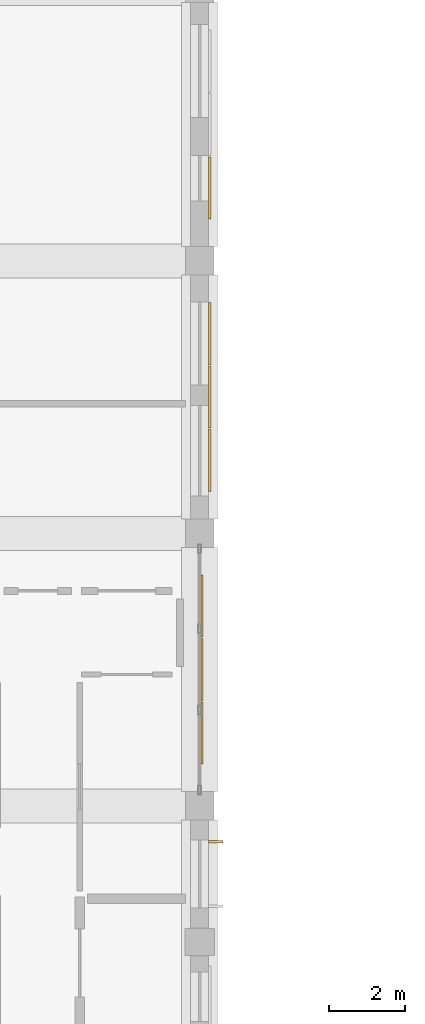
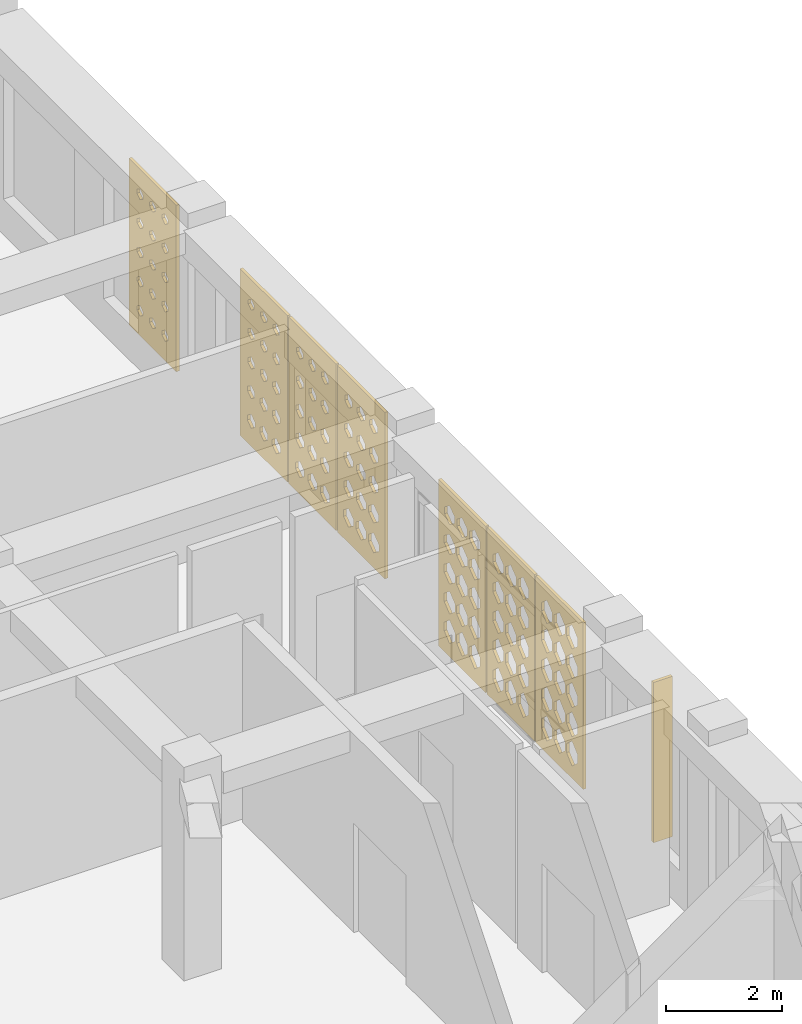
# One storey, part 101 of 111: 7 coverings, 1 shading device.
"""IFC4 building model written with IfcOpenShell, lengths in metres."""

from ifc_helpers import new_model, si_unit, derived_unit, direction, frame, origin, origin_2d, place, context, subcontext, project, spatial, polyline, rectangle, outline, extrude, material, layer, layer_set, type_object, element, save


model = new_model("IFC4")

# Units and contexts
model_context = context("Model", 3, precision=1e-05, world=origin(), true_north=direction((0.0, 1.0)))
body_context = subcontext(model_context, "Body", "Model", "MODEL_VIEW")
ifc_project = project(units=[si_unit("LENGTHUNIT", "METRE"), si_unit("AREAUNIT", "SQUARE_METRE"), si_unit("VOLUMEUNIT", "CUBIC_METRE"), si_unit("PLANEANGLEUNIT", "RADIAN"), si_unit("MASSUNIT", "GRAM", prefix="KILO"), derived_unit("THERMALTRANSMITTANCEUNIT", [(si_unit("POWERUNIT", "WATT"), 1), (si_unit("LENGTHUNIT", "METRE"), -2), (si_unit("THERMODYNAMICTEMPERATUREUNIT", "KELVIN"), -1)])], contexts=[model_context])

# Site, building, storey
site_placement = place(None, origin())
site = spatial("IfcSite", under=ifc_project, at=site_placement, CompositionType="ELEMENT")
building_placement = place(site_placement, origin())
building = spatial("IfcBuilding", under=site, at=building_placement, Name="Veybourne Emporium", CompositionType="ELEMENT")
storey_placement = place(building_placement, frame((0.0, 0.0, 9.89990234375)))
storey = spatial("IfcBuildingStorey", under=building, at=storey_placement, Name="L02", CompositionType="ELEMENT", Elevation=9.89990234375)

# Shading device
ifc_material_1 = material(Name="Patinated Architectural Bronze", Category="bronze")
shading_device_type = type_object("IfcShadingDeviceType", Name="SolarFin_FIN-01", PredefinedType="USERDEFINED", material=ifc_material_1)
shading_device_placement = place(storey_placement, frame((101.22900390625, 63.85400390625, 0.125244140625), z_axis=(0.0, 0.0, 1.0), x_axis=(0.0, -1.0, 0.0)))
element("IfcShadingDevice", 1, at=shading_device_placement, inside=storey, type_object=shading_device_type, Name="L02 bronze brise-soleil fin FIN-01 (53A.1)", ObjectType="FIN", PredefinedType="USERDEFINED", context=body_context, shape_type="SweptSolid", body=[
    extrude(rectangle(XDim=0.06494140625, YDim=0.3798828125, at=origin_2d()), origin(), (0.0, 0.0, 1.0), 3.3798828125),
])

# Coverings
ifc_material_2 = material(Name="Warm-White Perforated Aluminium Screen Alloy", Category="aluminium")
ifc_layer_1 = layer(ifc_material_2, 0.06005859375)
ifc_layer_set_1 = layer_set([ifc_layer_1], Name="Warm-White Perforated Aluminium Screen Alloy")
covering_type_1 = type_object("IfcCoveringType", Name="WaveScreen_SCR-01", PredefinedType="CLADDING", material=ifc_layer_set_1)
covering_1_placement = place(storey_placement, frame((101.09814453125, 73.919921875, 1.815185546875), z_axis=(-1.0, 0.0, 0.0), x_axis=(0.0, -1.0, 0.0)))
element("IfcCovering", 2, at=covering_1_placement, inside=storey, type_object=covering_type_1, Name="L02 wave-perforated aluminium screen SCR-01 (55.3)", PredefinedType="CLADDING", context=body_context, shape_type="SweptSolid", body=[
    extrude(outline(polyline([(-0.81982421875, -1.7548828125), (0.81982421875, -1.7548828125), (0.81982421875, 1.7548828125), (-0.81982421875, 1.7548828125), (-0.81982421875, -1.7548828125)]), holes=[polyline([(-0.433349609375, -1.03173828125), (-0.2626953125, -1.157470703125), (-0.2626953125, -1.298583984375), (-0.433349609375, -1.42431640625), (-0.60400390625, -1.298583984375), (-0.60400390625, -1.157470703125), (-0.433349609375, -1.03173828125)]), polyline([(-0.433349609375, -0.431884765625), (-0.2744140625, -0.548583984375), (-0.2744140625, -0.679443359375), (-0.433349609375, -0.796142578125), (-0.59228515625, -0.679443359375), (-0.59228515625, -0.548583984375), (-0.433349609375, -0.431884765625)]), polyline([(-0.433349609375, 0.168212890625), (-0.28564453125, 0.060546875), (-0.28564453125, -0.060546875), (-0.433349609375, -0.168212890625), (-0.5810546875, -0.060546875), (-0.5810546875, 0.060546875), (-0.433349609375, 0.168212890625)]), polyline([(-0.433349609375, 0.76904296875), (-0.29638671875, 0.669921875), (-0.29638671875, 0.55810546875), (-0.433349609375, 0.458984375), (-0.5703125, 0.55810546875), (-0.5703125, 0.669921875), (-0.433349609375, 0.76904296875)]), polyline([(-0.433349609375, 1.37109375), (-0.306396484375, 1.279541015625), (-0.306396484375, 1.176513671875), (-0.433349609375, 1.0849609375), (-0.560302734375, 1.176513671875), (-0.560302734375, 1.279541015625), (-0.433349609375, 1.37109375)]), polyline([(0.0, -1.025390625), (0.17578125, -1.155029296875), (0.17578125, -1.301025390625), (0.0, -1.4306640625), (-0.17578125, -1.301025390625), (-0.17578125, -1.155029296875), (0.0, -1.025390625)]), polyline([(0.0, -0.425537109375), (0.164306640625, -0.546142578125), (0.164306640625, -0.681884765625), (0.0, -0.802490234375), (-0.164306640625, -0.681884765625), (-0.164306640625, -0.546142578125), (0.0, -0.425537109375)]), polyline([(0.0, 0.174560546875), (0.152587890625, 0.062744140625), (0.152587890625, -0.062744140625), (0.0, -0.174560546875), (-0.152587890625, -0.062744140625), (-0.152587890625, 0.062744140625), (0.0, 0.174560546875)]), polyline([(0.0, 0.77490234375), (0.1416015625, 0.671875), (0.1416015625, 0.55615234375), (0.0, 0.453125), (-0.1416015625, 0.55615234375), (-0.1416015625, 0.671875), (0.0, 0.77490234375)]), polyline([(0.0, 1.37646484375), (0.13134765625, 1.281494140625), (0.13134765625, 1.174560546875), (0.0, 1.07958984375), (-0.13134765625, 1.174560546875), (-0.13134765625, 1.281494140625), (0.0, 1.37646484375)]), polyline([(0.433349609375, -1.01904296875), (0.6142578125, -1.15283203125), (0.6142578125, -1.30322265625), (0.433349609375, -1.43701171875), (0.252197265625, -1.30322265625), (0.252197265625, -1.15283203125), (0.433349609375, -1.01904296875)]), polyline([(0.433349609375, -0.419189453125), (0.602783203125, -0.543701171875), (0.602783203125, -0.68408203125), (0.433349609375, -0.808837890625), (0.263916015625, -0.68408203125), (0.263916015625, -0.543701171875), (0.433349609375, -0.419189453125)]), polyline([(0.433349609375, 0.180908203125), (0.59130859375, 0.065185546875), (0.59130859375, -0.065185546875), (0.433349609375, -0.180908203125), (0.275390625, -0.065185546875), (0.275390625, 0.065185546875), (0.433349609375, 0.180908203125)]), polyline([(0.433349609375, 0.781005859375), (0.580078125, 0.674072265625), (0.580078125, 0.553955078125), (0.433349609375, 0.447021484375), (0.28662109375, 0.553955078125), (0.28662109375, 0.674072265625), (0.433349609375, 0.781005859375)]), polyline([(0.433349609375, 1.3818359375), (0.5693359375, 1.283447265625), (0.5693359375, 1.172607421875), (0.433349609375, 1.07421875), (0.29736328125, 1.172607421875), (0.29736328125, 1.283447265625), (0.433349609375, 1.3818359375)])]), origin(), (0.0, 0.0, 1.0), 0.06005859375),
])
ifc_layer_2 = layer(ifc_material_2, 0.06005859375)
ifc_layer_set_2 = layer_set([ifc_layer_2], Name="Warm-White Perforated Aluminium Screen Alloy")
covering_type_2 = type_object("IfcCoveringType", Name="WaveScreen_SCR-02", PredefinedType="CLADDING", material=ifc_layer_set_2)
covering_2_placement = place(storey_placement, frame((100.8955078125, 70.080078125, 1.815185546875), z_axis=(-1.0, 0.0, 0.0), x_axis=(0.0, -1.0, 0.0)))
element("IfcCovering", 3, at=covering_2_placement, inside=storey, type_object=covering_type_2, Name="L02 wave-perforated aluminium screen SCR-02 (54C.1)", PredefinedType="CLADDING", context=body_context, shape_type="SweptSolid", body=[
    extrude(outline(polyline([(-0.81982421875, -1.7548828125), (0.81982421875, -1.7548828125), (0.81982421875, 1.7548828125), (-0.81982421875, 1.7548828125), (-0.81982421875, -1.7548828125)]), holes=[polyline([(-0.433349609375, -0.977783203125), (-0.2470703125, -1.137939453125), (-0.2470703125, -1.318115234375), (-0.433349609375, -1.47802734375), (-0.61962890625, -1.318115234375), (-0.61962890625, -1.137939453125), (-0.433349609375, -0.977783203125)]), polyline([(-0.433349609375, -0.374755859375), (-0.2470703125, -0.52783203125), (-0.2470703125, -0.7001953125), (-0.433349609375, -0.853271484375), (-0.61962890625, -0.7001953125), (-0.61962890625, -0.52783203125), (-0.433349609375, -0.374755859375)]), polyline([(-0.433349609375, 0.226806640625), (-0.2470703125, 0.081787109375), (-0.2470703125, -0.081787109375), (-0.433349609375, -0.226806640625), (-0.61962890625, -0.081787109375), (-0.61962890625, 0.081787109375), (-0.433349609375, 0.226806640625)]), polyline([(-0.433349609375, 0.827392578125), (-0.248779296875, 0.69091796875), (-0.248779296875, 0.537109375), (-0.433349609375, 0.400390625), (-0.617919921875, 0.537109375), (-0.617919921875, 0.69091796875), (-0.433349609375, 0.827392578125)]), polyline([(-0.433349609375, 1.427490234375), (-0.260009765625, 1.2998046875), (-0.260009765625, 1.15625), (-0.433349609375, 1.028564453125), (-0.606689453125, 1.15625), (-0.606689453125, 1.2998046875), (-0.433349609375, 1.427490234375)]), polyline([(0.0, -0.973388671875), (0.186279296875, -1.136474609375), (0.186279296875, -1.319580078125), (0.0, -1.482421875), (-0.186279296875, -1.319580078125), (-0.186279296875, -1.136474609375), (0.0, -0.973388671875)]), polyline([(0.0, -0.36962890625), (0.186279296875, -0.52587890625), (0.186279296875, -0.701904296875), (0.0, -0.8583984375), (-0.186279296875, -0.701904296875), (-0.186279296875, -0.52587890625), (0.0, -0.36962890625)]), polyline([(0.0, 0.232666015625), (0.186279296875, 0.083740234375), (0.186279296875, -0.083740234375), (0.0, -0.232666015625), (-0.186279296875, -0.083740234375), (-0.186279296875, 0.083740234375), (0.0, 0.232666015625)]), polyline([(0.0, 0.83349609375), (0.186279296875, 0.693115234375), (0.186279296875, 0.534912109375), (0.0, 0.394287109375), (-0.186279296875, 0.534912109375), (-0.186279296875, 0.693115234375), (0.0, 0.83349609375)]), polyline([(0.0, 1.433837890625), (0.178466796875, 1.302001953125), (0.178466796875, 1.15380859375), (0.0, 1.022216796875), (-0.178466796875, 1.15380859375), (-0.178466796875, 1.302001953125), (0.0, 1.433837890625)]), polyline([(0.433349609375, -0.969482421875), (0.61962890625, -1.135009765625), (0.61962890625, -1.321044921875), (0.433349609375, -1.486572265625), (0.2470703125, -1.321044921875), (0.2470703125, -1.135009765625), (0.433349609375, -0.969482421875)]), polyline([(0.433349609375, -0.36474609375), (0.61962890625, -0.5244140625), (0.61962890625, -0.70361328125), (0.433349609375, -0.86328125), (0.2470703125, -0.70361328125), (0.2470703125, -0.5244140625), (0.433349609375, -0.36474609375)]), polyline([(0.433349609375, 0.238037109375), (0.61962890625, 0.085693359375), (0.61962890625, -0.085693359375), (0.433349609375, -0.238037109375), (0.2470703125, -0.085693359375), (0.2470703125, 0.085693359375), (0.433349609375, 0.238037109375)]), polyline([(0.433349609375, 0.839599609375), (0.61962890625, 0.6953125), (0.61962890625, 0.53271484375), (0.433349609375, 0.388427734375), (0.2470703125, 0.53271484375), (0.2470703125, 0.6953125), (0.433349609375, 0.839599609375)]), polyline([(0.433349609375, 1.440185546875), (0.616943359375, 1.304443359375), (0.616943359375, 1.151611328125), (0.433349609375, 1.015869140625), (0.249755859375, 1.151611328125), (0.249755859375, 1.304443359375), (0.433349609375, 1.440185546875)])]), origin(), (0.0, 0.0, 1.0), 0.06005859375),
])
covering_3_placement = place(storey_placement, frame((101.09814453125, 81.1201171875, 1.815185546875), z_axis=(-1.0, 0.0, 0.0), x_axis=(0.0, -1.0, 0.0)))
element("IfcCovering", 4, at=covering_3_placement, inside=storey, type_object=covering_type_2, Name="L02 wave-perforated aluminium screen SCR-02 (56.3)", PredefinedType="CLADDING", context=body_context, shape_type="SweptSolid", body=[
    extrude(outline(polyline([(-0.81982421875, -1.7548828125), (0.81982421875, -1.7548828125), (0.81982421875, 1.7548828125), (-0.81982421875, 1.7548828125), (-0.81982421875, -1.7548828125)]), holes=[polyline([(-0.433349609375, -1.11376953125), (-0.329833984375, -1.18701171875), (-0.329833984375, -1.26904296875), (-0.433349609375, -1.34228515625), (-0.536865234375, -1.26904296875), (-0.536865234375, -1.18701171875), (-0.433349609375, -1.11376953125)]), polyline([(-0.433349609375, -0.503173828125), (-0.33251953125, -0.57421875), (-0.33251953125, -0.65380859375), (-0.433349609375, -0.724853515625), (-0.5341796875, -0.65380859375), (-0.5341796875, -0.57421875), (-0.433349609375, -0.503173828125)]), polyline([(-0.433349609375, 0.110107421875), (-0.333251953125, 0.03955078125), (-0.333251953125, -0.03955078125), (-0.433349609375, -0.110107421875), (-0.533447265625, -0.03955078125), (-0.533447265625, 0.03955078125), (-0.433349609375, 0.110107421875)]), polyline([(-0.433349609375, 0.7255859375), (-0.33203125, 0.654296875), (-0.33203125, 0.57373046875), (-0.433349609375, 0.50244140625), (-0.53466796875, 0.57373046875), (-0.53466796875, 0.654296875), (-0.433349609375, 0.7255859375)]), polyline([(-0.433349609375, 1.343505859375), (-0.328857421875, 1.26953125), (-0.328857421875, 1.186279296875), (-0.433349609375, 1.112548828125), (-0.537841796875, 1.186279296875), (-0.537841796875, 1.26953125), (-0.433349609375, 1.343505859375)]), polyline([(0.0, -1.111572265625), (0.105224609375, -1.18603515625), (0.105224609375, -1.27001953125), (0.0, -1.344482421875), (-0.105224609375, -1.27001953125), (-0.105224609375, -1.18603515625), (0.0, -1.111572265625)]), polyline([(0.0, -0.501953125), (0.101806640625, -0.573486328125), (0.101806640625, -0.654296875), (0.0, -0.72607421875), (-0.101806640625, -0.654296875), (-0.101806640625, -0.573486328125), (0.0, -0.501953125)]), polyline([(0.0, 0.110107421875), (0.10009765625, 0.03955078125), (0.10009765625, -0.03955078125), (0.0, -0.110107421875), (-0.10009765625, -0.03955078125), (-0.10009765625, 0.03955078125), (0.0, 0.110107421875)]), polyline([(0.0, 0.724609375), (0.1005859375, 0.65380859375), (0.1005859375, 0.57421875), (0.0, 0.50341796875), (-0.1005859375, 0.57421875), (-0.1005859375, 0.65380859375), (0.0, 0.724609375)]), polyline([(0.0, 1.34130859375), (0.102783203125, 1.268798828125), (0.102783203125, 1.187255859375), (0.0, 1.114501953125), (-0.102783203125, 1.187255859375), (-0.102783203125, 1.268798828125), (0.0, 1.34130859375)]), polyline([(0.433349609375, -1.10888671875), (0.540771484375, -1.18505859375), (0.540771484375, -1.27099609375), (0.433349609375, -1.34716796875), (0.32568359375, -1.27099609375), (0.32568359375, -1.18505859375), (0.433349609375, -1.10888671875)]), polyline([(0.433349609375, -0.500244140625), (0.536376953125, -0.572998046875), (0.536376953125, -0.655029296875), (0.433349609375, -0.727783203125), (0.330078125, -0.655029296875), (0.330078125, -0.572998046875), (0.433349609375, -0.500244140625)]), polyline([(0.433349609375, 0.110595703125), (0.533935546875, 0.039794921875), (0.533935546875, -0.039794921875), (0.433349609375, -0.110595703125), (0.332763671875, -0.039794921875), (0.332763671875, 0.039794921875), (0.433349609375, 0.110595703125)]), polyline([(0.433349609375, 0.72412109375), (0.533447265625, 0.653564453125), (0.533447265625, 0.574462890625), (0.433349609375, 0.50390625), (0.333251953125, 0.574462890625), (0.333251953125, 0.653564453125), (0.433349609375, 0.72412109375)]), polyline([(0.433349609375, 1.33984375), (0.534912109375, 1.268310546875), (0.534912109375, 1.187744140625), (0.433349609375, 1.1162109375), (0.331787109375, 1.187744140625), (0.331787109375, 1.268310546875), (0.433349609375, 1.33984375)])]), origin(), (0.0, 0.0, 1.0), 0.06005859375),
])
ifc_layer_3 = layer(ifc_material_2, 0.06005859375)
ifc_layer_set_3 = layer_set([ifc_layer_3], Name="Warm-White Perforated Aluminium Screen Alloy")
covering_type_3 = type_object("IfcCoveringType", Name="WaveScreen_SCR-03", PredefinedType="CLADDING", material=ifc_layer_set_3)
covering_4_placement = place(storey_placement, frame((100.8955078125, 68.39990234375, 1.815185546875), z_axis=(-1.0, 0.0, 0.0), x_axis=(0.0, -1.0, 0.0)))
element("IfcCovering", 5, at=covering_4_placement, inside=storey, type_object=covering_type_3, Name="L02 wave-perforated aluminium screen SCR-03 (54C.2)", PredefinedType="CLADDING", context=body_context, shape_type="SweptSolid", body=[
    extrude(outline(polyline([(-0.81982421875, -1.7548828125), (0.81982421875, -1.7548828125), (0.81982421875, 1.7548828125), (-0.81982421875, 1.7548828125), (-0.81982421875, -1.7548828125)]), holes=[polyline([(-0.433349609375, -0.964111328125), (-0.2470703125, -1.133056640625), (-0.2470703125, -1.322998046875), (-0.433349609375, -1.491943359375), (-0.61962890625, -1.322998046875), (-0.61962890625, -1.133056640625), (-0.433349609375, -0.964111328125)]), polyline([(-0.433349609375, -0.356689453125), (-0.2470703125, -0.521484375), (-0.2470703125, -0.70654296875), (-0.433349609375, -0.871337890625), (-0.61962890625, -0.70654296875), (-0.61962890625, -0.521484375), (-0.433349609375, -0.356689453125)]), polyline([(-0.433349609375, 0.24755859375), (-0.2470703125, 0.089111328125), (-0.2470703125, -0.089111328125), (-0.433349609375, -0.24755859375), (-0.61962890625, -0.089111328125), (-0.61962890625, 0.089111328125), (-0.433349609375, 0.24755859375)]), polyline([(-0.433349609375, 0.850341796875), (-0.2470703125, 0.69921875), (-0.2470703125, 0.52880859375), (-0.433349609375, 0.377685546875), (-0.61962890625, 0.52880859375), (-0.61962890625, 0.69921875), (-0.433349609375, 0.850341796875)]), polyline([(-0.433349609375, 1.45166015625), (-0.2470703125, 1.30859375), (-0.2470703125, 1.1474609375), (-0.433349609375, 1.00439453125), (-0.61962890625, 1.1474609375), (-0.61962890625, 1.30859375), (-0.433349609375, 1.45166015625)]), polyline([(0.0, -0.964111328125), (0.186279296875, -1.133056640625), (0.186279296875, -1.322998046875), (0.0, -1.491943359375), (-0.186279296875, -1.322998046875), (-0.186279296875, -1.133056640625), (0.0, -0.964111328125)]), polyline([(0.0, -0.352783203125), (0.186279296875, -0.52001953125), (0.186279296875, -0.7080078125), (0.0, -0.875), (-0.186279296875, -0.7080078125), (-0.186279296875, -0.52001953125), (0.0, -0.352783203125)]), polyline([(0.0, 0.252197265625), (0.186279296875, 0.0908203125), (0.186279296875, -0.0908203125), (0.0, -0.252197265625), (-0.186279296875, -0.0908203125), (-0.186279296875, 0.0908203125), (0.0, 0.252197265625)]), polyline([(0.0, 0.855712890625), (0.186279296875, 0.700927734375), (0.186279296875, 0.527099609375), (0.0, 0.372314453125), (-0.186279296875, 0.527099609375), (-0.186279296875, 0.700927734375), (0.0, 0.855712890625)]), polyline([(0.0, 1.45751953125), (0.186279296875, 1.310546875), (0.186279296875, 1.1455078125), (0.0, 0.99853515625), (-0.186279296875, 1.1455078125), (-0.186279296875, 1.310546875), (0.0, 1.45751953125)]), polyline([(0.433349609375, -0.964111328125), (0.61962890625, -1.133056640625), (0.61962890625, -1.322998046875), (0.433349609375, -1.491943359375), (0.2470703125, -1.322998046875), (0.2470703125, -1.133056640625), (0.433349609375, -0.964111328125)]), polyline([(0.433349609375, -0.35009765625), (0.61962890625, -0.51904296875), (0.61962890625, -0.708984375), (0.433349609375, -0.8779296875), (0.2470703125, -0.708984375), (0.2470703125, -0.51904296875), (0.433349609375, -0.35009765625)]), polyline([(0.433349609375, 0.256591796875), (0.61962890625, 0.09228515625), (0.61962890625, -0.09228515625), (0.433349609375, -0.256591796875), (0.2470703125, -0.09228515625), (0.2470703125, 0.09228515625), (0.433349609375, 0.256591796875)]), polyline([(0.433349609375, 0.860595703125), (0.61962890625, 0.702880859375), (0.61962890625, 0.525146484375), (0.433349609375, 0.367431640625), (0.2470703125, 0.525146484375), (0.2470703125, 0.702880859375), (0.433349609375, 0.860595703125)]), polyline([(0.433349609375, 1.463134765625), (0.61962890625, 1.312744140625), (0.61962890625, 1.143310546875), (0.433349609375, 0.992919921875), (0.2470703125, 1.143310546875), (0.2470703125, 1.312744140625), (0.433349609375, 1.463134765625)])]), origin(), (0.0, 0.0, 1.0), 0.06005859375),
])
covering_5_placement = place(storey_placement, frame((101.09814453125, 77.280029296875, 1.815185546875), z_axis=(-1.0, 0.0, 0.0), x_axis=(0.0, -1.0, 0.0)))
element("IfcCovering", 6, at=covering_5_placement, inside=storey, type_object=covering_type_3, Name="L02 wave-perforated aluminium screen SCR-03 (55.1)", PredefinedType="CLADDING", context=body_context, shape_type="SweptSolid", body=[
    extrude(outline(polyline([(-0.81982421875, -1.7548828125), (0.81982421875, -1.7548828125), (0.81982421875, 1.7548828125), (-0.81982421875, 1.7548828125), (-0.81982421875, -1.7548828125)]), holes=[polyline([(-0.433349609375, -1.079345703125), (-0.3017578125, -1.174560546875), (-0.3017578125, -1.281494140625), (-0.433349609375, -1.376708984375), (-0.56494140625, -1.281494140625), (-0.56494140625, -1.174560546875), (-0.433349609375, -1.079345703125)]), polyline([(-0.433349609375, -0.4765625), (-0.310791015625, -0.564453125), (-0.310791015625, -0.66357421875), (-0.433349609375, -0.75146484375), (-0.5556640625, -0.66357421875), (-0.5556640625, -0.564453125), (-0.433349609375, -0.4765625)]), polyline([(-0.433349609375, 0.127685546875), (-0.31884765625, 0.0458984375), (-0.31884765625, -0.0458984375), (-0.433349609375, -0.127685546875), (-0.5478515625, -0.0458984375), (-0.5478515625, 0.0458984375), (-0.433349609375, 0.127685546875)]), polyline([(-0.433349609375, 0.73388671875), (-0.3251953125, 0.6572265625), (-0.3251953125, 0.57080078125), (-0.433349609375, 0.494140625), (-0.54150390625, 0.57080078125), (-0.54150390625, 0.6572265625), (-0.433349609375, 0.73388671875)]), polyline([(-0.433349609375, 1.34228515625), (-0.329833984375, 1.26904296875), (-0.329833984375, 1.18701171875), (-0.433349609375, 1.11376953125), (-0.536865234375, 1.18701171875), (-0.536865234375, 1.26904296875), (-0.433349609375, 1.34228515625)]), polyline([(0.0, -1.07373046875), (0.13623046875, -1.172607421875), (0.13623046875, -1.283447265625), (0.0, -1.38232421875), (-0.13623046875, -1.283447265625), (-0.13623046875, -1.172607421875), (0.0, -1.07373046875)]), polyline([(0.0, -0.4716796875), (0.12646484375, -0.562744140625), (0.12646484375, -0.665283203125), (0.0, -0.75634765625), (-0.12646484375, -0.665283203125), (-0.12646484375, -0.562744140625), (0.0, -0.4716796875)]), polyline([(0.0, 0.1318359375), (0.117919921875, 0.047607421875), (0.117919921875, -0.047607421875), (0.0, -0.1318359375), (-0.117919921875, -0.047607421875), (-0.117919921875, 0.047607421875), (0.0, 0.1318359375)]), polyline([(0.0, 0.7373046875), (0.11083984375, 0.658447265625), (0.11083984375, 0.569580078125), (0.0, 0.49072265625), (-0.11083984375, 0.569580078125), (-0.11083984375, 0.658447265625), (0.0, 0.7373046875)]), polyline([(0.0, 1.344482421875), (0.10546875, 1.27001953125), (0.10546875, 1.18603515625), (0.0, 1.111328125), (-0.10546875, 1.18603515625), (-0.10546875, 1.27001953125), (0.0, 1.344482421875)]), polyline([(0.433349609375, -1.06787109375), (0.57421875, -1.17041015625), (0.57421875, -1.28564453125), (0.433349609375, -1.38818359375), (0.292236328125, -1.28564453125), (0.292236328125, -1.17041015625), (0.433349609375, -1.06787109375)]), polyline([(0.433349609375, -0.46630859375), (0.564208984375, -0.560791015625), (0.564208984375, -0.6669921875), (0.433349609375, -0.76171875), (0.302490234375, -0.6669921875), (0.302490234375, -0.560791015625), (0.433349609375, -0.46630859375)]), polyline([(0.433349609375, 0.136474609375), (0.554931640625, 0.049072265625), (0.554931640625, -0.049072265625), (0.433349609375, -0.136474609375), (0.311767578125, -0.049072265625), (0.311767578125, 0.049072265625), (0.433349609375, 0.136474609375)]), polyline([(0.433349609375, 0.740966796875), (0.547119140625, 0.65966796875), (0.547119140625, 0.568359375), (0.433349609375, 0.487060546875), (0.319580078125, 0.568359375), (0.319580078125, 0.65966796875), (0.433349609375, 0.740966796875)]), polyline([(0.433349609375, 1.347412109375), (0.541015625, 1.27099609375), (0.541015625, 1.18505859375), (0.433349609375, 1.108642578125), (0.32568359375, 1.18505859375), (0.32568359375, 1.27099609375), (0.433349609375, 1.347412109375)])]), origin(), (0.0, 0.0, 1.0), 0.06005859375),
])
ifc_layer_4 = layer(ifc_material_2, 0.06005859375)
ifc_layer_set_4 = layer_set([ifc_layer_4], Name="Warm-White Perforated Aluminium Screen Alloy")
covering_type_4 = type_object("IfcCoveringType", Name="WaveScreen_SCR-04", PredefinedType="CLADDING", material=ifc_layer_set_4)
covering_6_placement = place(storey_placement, frame((100.8955078125, 66.719970703125, 1.815185546875), z_axis=(-1.0, 0.0, 0.0), x_axis=(0.0, -1.0, 0.0)))
element("IfcCovering", 7, at=covering_6_placement, inside=storey, type_object=covering_type_4, Name="L02 wave-perforated aluminium screen SCR-04 (54C.3)", PredefinedType="CLADDING", context=body_context, shape_type="SweptSolid", body=[
    extrude(outline(polyline([(-0.81982421875, -1.7548828125), (0.81982421875, -1.7548828125), (0.81982421875, 1.7548828125), (-0.81982421875, 1.7548828125), (-0.81982421875, -1.7548828125)]), holes=[polyline([(-0.433349609375, -0.964111328125), (-0.2470703125, -1.133056640625), (-0.2470703125, -1.322998046875), (-0.433349609375, -1.491943359375), (-0.61962890625, -1.322998046875), (-0.61962890625, -1.133056640625), (-0.433349609375, -0.964111328125)]), polyline([(-0.433349609375, -0.35009765625), (-0.2470703125, -0.51904296875), (-0.2470703125, -0.708984375), (-0.433349609375, -0.8779296875), (-0.61962890625, -0.708984375), (-0.61962890625, -0.51904296875), (-0.433349609375, -0.35009765625)]), polyline([(-0.433349609375, 0.263427734375), (-0.2470703125, 0.0947265625), (-0.2470703125, -0.0947265625), (-0.433349609375, -0.263427734375), (-0.61962890625, -0.0947265625), (-0.61962890625, 0.0947265625), (-0.433349609375, 0.263427734375)]), polyline([(-0.433349609375, 0.869140625), (-0.2470703125, 0.705810546875), (-0.2470703125, 0.522216796875), (-0.433349609375, 0.35888671875), (-0.61962890625, 0.522216796875), (-0.61962890625, 0.705810546875), (-0.433349609375, 0.869140625)]), polyline([(-0.433349609375, 1.472900390625), (-0.2470703125, 1.316162109375), (-0.2470703125, 1.139892578125), (-0.433349609375, 0.98291015625), (-0.61962890625, 1.139892578125), (-0.61962890625, 1.316162109375), (-0.433349609375, 1.472900390625)]), polyline([(0.0, -0.964111328125), (0.186279296875, -1.133056640625), (0.186279296875, -1.322998046875), (0.0, -1.491943359375), (-0.186279296875, -1.322998046875), (-0.186279296875, -1.133056640625), (0.0, -0.964111328125)]), polyline([(0.0, -0.35009765625), (0.186279296875, -0.51904296875), (0.186279296875, -0.708984375), (0.0, -0.8779296875), (-0.186279296875, -0.708984375), (-0.186279296875, -0.51904296875), (0.0, -0.35009765625)]), polyline([(0.0, 0.263916015625), (0.186279296875, 0.094970703125), (0.186279296875, -0.094970703125), (0.0, -0.263916015625), (-0.186279296875, -0.094970703125), (-0.186279296875, 0.094970703125), (0.0, 0.263916015625)]), polyline([(0.0, 0.873046875), (0.186279296875, 0.707275390625), (0.186279296875, 0.520751953125), (0.0, 0.35498046875), (-0.186279296875, 0.520751953125), (-0.186279296875, 0.707275390625), (0.0, 0.873046875)]), polyline([(0.0, 1.477783203125), (0.186279296875, 1.31787109375), (0.186279296875, 1.13818359375), (0.0, 0.978271484375), (-0.186279296875, 1.13818359375), (-0.186279296875, 1.31787109375), (0.0, 1.477783203125)]), polyline([(0.433349609375, -0.964111328125), (0.61962890625, -1.133056640625), (0.61962890625, -1.322998046875), (0.433349609375, -1.491943359375), (0.2470703125, -1.322998046875), (0.2470703125, -1.133056640625), (0.433349609375, -0.964111328125)]), polyline([(0.433349609375, -0.35009765625), (0.61962890625, -0.51904296875), (0.61962890625, -0.708984375), (0.433349609375, -0.8779296875), (0.2470703125, -0.708984375), (0.2470703125, -0.51904296875), (0.433349609375, -0.35009765625)]), polyline([(0.433349609375, 0.263916015625), (0.61962890625, 0.094970703125), (0.61962890625, -0.094970703125), (0.433349609375, -0.263916015625), (0.2470703125, -0.094970703125), (0.2470703125, 0.094970703125), (0.433349609375, 0.263916015625)]), polyline([(0.433349609375, 0.876708984375), (0.61962890625, 0.70849609375), (0.61962890625, 0.519287109375), (0.433349609375, 0.351318359375), (0.2470703125, 0.519287109375), (0.2470703125, 0.70849609375), (0.433349609375, 0.876708984375)]), polyline([(0.433349609375, 1.482421875), (0.61962890625, 1.319580078125), (0.61962890625, 1.136474609375), (0.433349609375, 0.9736328125), (0.2470703125, 1.136474609375), (0.2470703125, 1.319580078125), (0.433349609375, 1.482421875)])]), origin(), (0.0, 0.0, 1.0), 0.06005859375),
])
covering_7_placement = place(storey_placement, frame((101.09814453125, 75.60009765625, 1.815185546875), z_axis=(-1.0, 0.0, 0.0), x_axis=(0.0, -1.0, 0.0)))
element("IfcCovering", 8, at=covering_7_placement, inside=storey, type_object=covering_type_4, Name="L02 wave-perforated aluminium screen SCR-04 (55.2)", PredefinedType="CLADDING", context=body_context, shape_type="SweptSolid", body=[
    extrude(outline(polyline([(-0.81982421875, -1.7548828125), (0.81982421875, -1.7548828125), (0.81982421875, 1.7548828125), (-0.81982421875, 1.7548828125), (-0.81982421875, -1.7548828125)]), holes=[polyline([(-0.433349609375, -1.056396484375), (-0.282958984375, -1.166259765625), (-0.282958984375, -1.289794921875), (-0.433349609375, -1.3994140625), (-0.583740234375, -1.289794921875), (-0.583740234375, -1.166259765625), (-0.433349609375, -1.056396484375)]), polyline([(-0.433349609375, -0.455810546875), (-0.2939453125, -0.55712890625), (-0.2939453125, -0.6708984375), (-0.433349609375, -0.772216796875), (-0.57275390625, -0.6708984375), (-0.57275390625, -0.55712890625), (-0.433349609375, -0.455810546875)]), polyline([(-0.433349609375, 0.14599609375), (-0.303955078125, 0.052490234375), (-0.303955078125, -0.052490234375), (-0.433349609375, -0.14599609375), (-0.562744140625, -0.052490234375), (-0.562744140625, 0.052490234375), (-0.433349609375, 0.14599609375)]), polyline([(-0.433349609375, 0.748779296875), (-0.31298828125, 0.66259765625), (-0.31298828125, 0.5654296875), (-0.433349609375, 0.47900390625), (-0.5537109375, 0.5654296875), (-0.5537109375, 0.66259765625), (-0.433349609375, 0.748779296875)]), polyline([(-0.433349609375, 1.353515625), (-0.320556640625, 1.273193359375), (-0.320556640625, 1.182861328125), (-0.433349609375, 1.102294921875), (-0.546142578125, 1.182861328125), (-0.546142578125, 1.273193359375), (-0.433349609375, 1.353515625)]), polyline([(0.0, -1.05029296875), (0.155517578125, -1.1640625), (0.155517578125, -1.2919921875), (0.0, -1.40576171875), (-0.155517578125, -1.2919921875), (-0.155517578125, -1.1640625), (0.0, -1.05029296875)]), polyline([(0.0, -0.449951171875), (0.144287109375, -0.554931640625), (0.144287109375, -0.673095703125), (0.0, -0.778076171875), (-0.144287109375, -0.673095703125), (-0.144287109375, -0.554931640625), (0.0, -0.449951171875)]), polyline([(0.0, 0.1513671875), (0.1337890625, 0.054443359375), (0.1337890625, -0.054443359375), (0.0, -0.1513671875), (-0.1337890625, -0.054443359375), (-0.1337890625, 0.054443359375), (0.0, 0.1513671875)]), polyline([(0.0, 0.753662109375), (0.124267578125, 0.664306640625), (0.124267578125, 0.563720703125), (0.0, 0.474365234375), (-0.124267578125, 0.563720703125), (-0.124267578125, 0.664306640625), (0.0, 0.753662109375)]), polyline([(0.0, 1.357666015625), (0.115966796875, 1.274658203125), (0.115966796875, 1.181396484375), (0.0, 1.098388671875), (-0.115966796875, 1.181396484375), (-0.115966796875, 1.274658203125), (0.0, 1.357666015625)]), polyline([(0.433349609375, -1.043701171875), (0.593994140625, -1.16162109375), (0.593994140625, -1.294189453125), (0.433349609375, -1.412109375), (0.272705078125, -1.294189453125), (0.272705078125, -1.16162109375), (0.433349609375, -1.043701171875)]), polyline([(0.433349609375, -0.443603515625), (0.58251953125, -0.552734375), (0.58251953125, -0.67529296875), (0.433349609375, -0.7841796875), (0.283935546875, -0.67529296875), (0.283935546875, -0.552734375), (0.433349609375, -0.443603515625)]), polyline([(0.433349609375, 0.156982421875), (0.57177734375, 0.056396484375), (0.57177734375, -0.056396484375), (0.433349609375, -0.156982421875), (0.294921875, -0.056396484375), (0.294921875, 0.056396484375), (0.433349609375, 0.156982421875)]), polyline([(0.433349609375, 0.7587890625), (0.561767578125, 0.666015625), (0.561767578125, 0.56201171875), (0.433349609375, 0.46923828125), (0.304931640625, 0.56201171875), (0.304931640625, 0.666015625), (0.433349609375, 0.7587890625)]), polyline([(0.433349609375, 1.362060546875), (0.552978515625, 1.276123046875), (0.552978515625, 1.1796875), (0.433349609375, 1.093994140625), (0.313720703125, 1.1796875), (0.313720703125, 1.276123046875), (0.433349609375, 1.362060546875)])]), origin(), (0.0, 0.0, 1.0), 0.06005859375),
])

save(model, "model.ifc")
